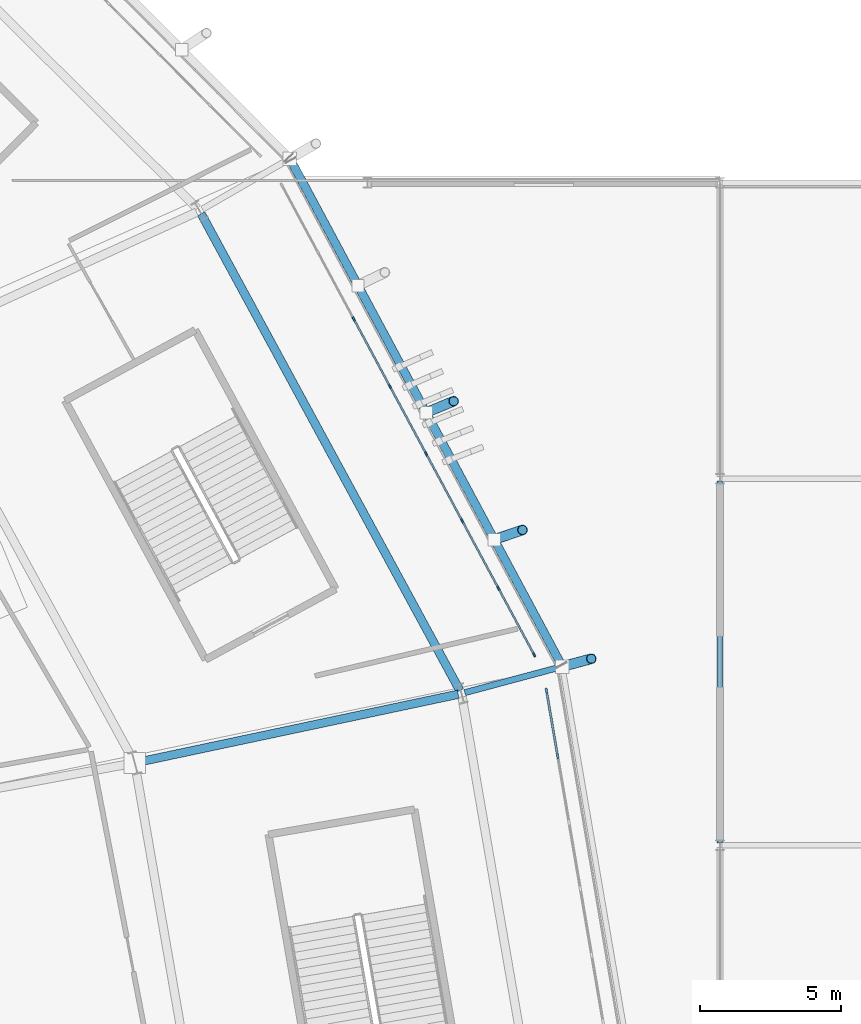
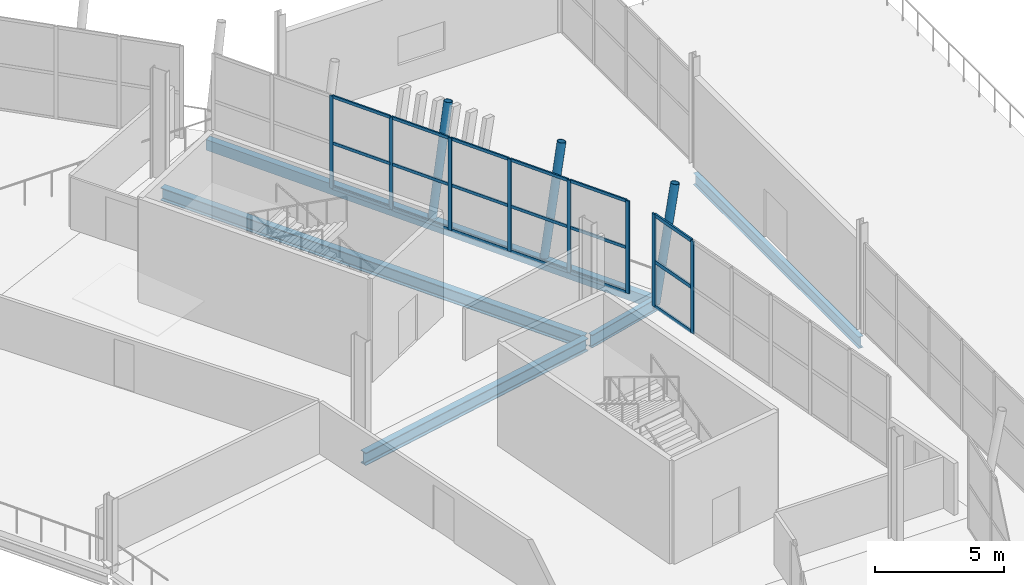
# One storey, part 61 of 168: 29 members, 5 beams, 2 elements without a shape of their own.
"""IFC4 building model written with IfcOpenShell, lengths in metres."""

from ifc_helpers import new_model, si_unit, direction, frame, origin, origin_2d, place, context, subcontext, project, spatial, rectangle, hollow_rectangle, hollow_circle, i_section, extrude, material, material_profile, profile_set, type_object, element, aggregate, save


model = new_model("IFC4")

# Units and contexts
model_context = context("Model", 3, precision=1e-05, world=origin(), true_north=direction((0.0, 1.0)))
body_context = subcontext(model_context, "Body", "Model", "MODEL_VIEW")
ifc_project = project(units=[si_unit("LENGTHUNIT", "METRE"), si_unit("AREAUNIT", "SQUARE_METRE"), si_unit("VOLUMEUNIT", "CUBIC_METRE"), si_unit("PLANEANGLEUNIT", "RADIAN"), si_unit("MASSUNIT", "GRAM", prefix="KILO")], contexts=[model_context])

# Site, building, storey
site_placement = place(None, origin())
site = spatial("IfcSite", under=ifc_project, at=site_placement, CompositionType="ELEMENT")
building_placement = place(site_placement, origin())
building = spatial("IfcBuilding", under=site, at=building_placement, Name="Zlatoyarsky Gate Stadium", CompositionType="ELEMENT")
storey_placement = place(building_placement, frame((0.0, 0.0, 15.60009765625)))
storey = spatial("IfcBuildingStorey", under=building, at=storey_placement, Name="L03", CompositionType="ELEMENT", Elevation=15.60009765625)

# Curtain wall, members
ifc_material_1 = material(Name="Thermally broken anodised aluminium curtain wall", Category="aluminium")
curtain_wall_type_1 = type_object("IfcCurtainWallType", Name="MONUMENTAL ARCHED GATE GLAZING UPPER", PredefinedType="USERDEFINED", material=ifc_material_1)
curtain_wall_1_placement = place(storey_placement, origin())
curtain_wall_1 = element("IfcCurtainWall", 1, at=curtain_wall_1_placement, inside=storey, type_object=curtain_wall_type_1, Name="Curtain wall CW-L03-00", ObjectType="ARCHED GATE GLAZING", PredefinedType="USERDEFINED")
ifc_material_2 = material(Name="Anodised aluminium 6063-T6", Category="aluminium")
ifc_material_profile_1 = material_profile(ifc_material_2, rectangle(XDim=0.074951171875, YDim=0.18994140625, at=origin_2d()), Name="ALU 75X190")
ifc_profile_set_1 = profile_set([ifc_material_profile_1], Name="Anodised aluminium 6063-T6")
member_type_1 = type_object("IfcMemberType", Name="ALUMINIUM GATE MULLION 75X190", PredefinedType="MULLION", material=ifc_profile_set_1)
member_1_placement = place(storey_placement, frame((204.242431640625, 96.158203125, 0.0), z_axis=(0.0, 0.0, 1.0), x_axis=(-0.985726654508, -0.168353683036, 0.0)))
member_1 = element("IfcMember", 2, at=member_1_placement, type_object=member_type_1, Name="CW-AG2 mullion 6", PredefinedType="MULLION", context=body_context, shape_type="SweptSolid", body=[
    extrude(rectangle(XDim=0.074951171875, YDim=0.18994140625, at=origin_2d()), origin(), (0.0, 0.0, 1.0), 4.3798828125),
])
member_2_placement = place(storey_placement, frame((203.8466796875, 98.4755859375, 0.0), z_axis=(0.0, 0.0, 1.0), x_axis=(-0.985726654508, -0.168353683036, 0.0)))
member_2 = element("IfcMember", 3, at=member_2_placement, type_object=member_type_1, Name="CW-AG2 mullion 7", PredefinedType="MULLION", context=body_context, shape_type="SweptSolid", body=[
    extrude(rectangle(XDim=0.074951171875, YDim=0.18994140625, at=origin_2d()), origin(), (0.0, 0.0, 1.0), 4.3798828125),
])
ifc_material_profile_2 = material_profile(ifc_material_2, rectangle(XDim=0.074951171875, YDim=0.169921875, at=origin_2d()), Name="ALU 75X170")
ifc_profile_set_2 = profile_set([ifc_material_profile_2], Name="Anodised aluminium 6063-T6")
member_type_2 = type_object("IfcMemberType", Name="ALUMINIUM GATE TRANSOM 75X170", PredefinedType="USERDEFINED", material=ifc_profile_set_2)
member_3_placement = place(storey_placement, frame((204.236083984375, 96.195068359375, 0.037353515625), z_axis=(-0.168311716755, 0.985733821071, 0.0), x_axis=(-0.985733821071, -0.168311716755, 0.0)))
member_3 = element("IfcMember", 4, at=member_3_placement, type_object=member_type_2, Name="CW-AG2 transom 6.1", ObjectType="TRANSOM", PredefinedType="USERDEFINED", context=body_context, shape_type="SweptSolid", body=[
    extrude(rectangle(XDim=0.074951171875, YDim=0.169921875, at=origin_2d()), origin(), (0.0, 0.0, 1.0), 2.27587890625),
])
member_4_placement = place(storey_placement, frame((204.236083984375, 96.195068359375, 2.14990234375), z_axis=(-0.168311716755, 0.985733821071, 0.0), x_axis=(-0.985733821071, -0.168311716755, 0.0)))
member_4 = element("IfcMember", 5, at=member_4_placement, type_object=member_type_2, Name="CW-AG2 transom 6.2", ObjectType="TRANSOM", PredefinedType="USERDEFINED", context=body_context, shape_type="SweptSolid", body=[
    extrude(rectangle(XDim=0.074951171875, YDim=0.169921875, at=origin_2d()), origin(), (0.0, 0.0, 1.0), 2.27587890625),
])
member_5_placement = place(storey_placement, frame((204.236083984375, 96.195068359375, 4.34228515625), z_axis=(-0.168311716755, 0.985733821071, 0.0), x_axis=(-0.985733821071, -0.168311716755, 0.0)))
member_5 = element("IfcMember", 6, at=member_5_placement, type_object=member_type_2, Name="CW-AG2 transom 6.3", ObjectType="TRANSOM", PredefinedType="USERDEFINED", context=body_context, shape_type="SweptSolid", body=[
    extrude(rectangle(XDim=0.074951171875, YDim=0.169921875, at=origin_2d()), origin(), (0.0, 0.0, 1.0), 2.27587890625),
])
aggregate(curtain_wall_1, [member_1, member_2, member_3, member_4, member_5])

curtain_wall_type_2 = type_object("IfcCurtainWallType", Name="UNITISED CORPORATE BOX GLAZING L03", PredefinedType="USERDEFINED", material=ifc_material_1)
curtain_wall_2_placement = place(storey_placement, origin())
curtain_wall_2 = element("IfcCurtainWall", 7, at=curtain_wall_2_placement, inside=storey, type_object=curtain_wall_type_2, Name="Curtain wall CW-L03-01", ObjectType="UNITISED GLAZING", PredefinedType="USERDEFINED")
ifc_material_profile_3 = material_profile(ifc_material_2, rectangle(XDim=0.06494140625, YDim=0.159912109375, at=origin_2d()), Name="ALU 65X160")
ifc_profile_set_3 = profile_set([ifc_material_profile_3], Name="Anodised aluminium 6063-T6")
member_type_3 = type_object("IfcMemberType", Name="ALUMINIUM MULLION 65X160", PredefinedType="MULLION", material=ifc_profile_set_3)
member_6_placement = place(storey_placement, frame((203.407958984375, 99.75439453125, 0.0), z_axis=(0.0, 0.0, 1.0), x_axis=(-0.880877202392, -0.473344857694, 0.0)))
member_6 = element("IfcMember", 8, at=member_6_placement, type_object=member_type_3, Name="CW-UG3 mullion 1", PredefinedType="MULLION", context=body_context, shape_type="SweptSolid", body=[
    extrude(rectangle(XDim=0.06494140625, YDim=0.159912109375, at=origin_2d()), origin(), (0.0, 0.0, 1.0), 4.3798828125),
])
member_7_placement = place(storey_placement, frame((202.14111328125, 102.11181640625, 0.0), z_axis=(0.0, 0.0, 1.0), x_axis=(-0.880877202392, -0.473344857694, 0.0)))
member_7 = element("IfcMember", 9, at=member_7_placement, type_object=member_type_3, Name="CW-UG3 mullion 2", PredefinedType="MULLION", context=body_context, shape_type="SweptSolid", body=[
    extrude(rectangle(XDim=0.06494140625, YDim=0.159912109375, at=origin_2d()), origin(), (0.0, 0.0, 1.0), 4.3798828125),
])
member_8_placement = place(storey_placement, frame((200.85888671875, 104.498046875, 0.0), z_axis=(0.0, 0.0, 1.0), x_axis=(-0.880877202392, -0.473344857694, 0.0)))
member_8 = element("IfcMember", 10, at=member_8_placement, type_object=member_type_3, Name="CW-UG3 mullion 3", PredefinedType="MULLION", context=body_context, shape_type="SweptSolid", body=[
    extrude(rectangle(XDim=0.06494140625, YDim=0.159912109375, at=origin_2d()), origin(), (0.0, 0.0, 1.0), 4.3798828125),
])
member_9_placement = place(storey_placement, frame((199.57666015625, 106.884033203125, 0.0), z_axis=(0.0, 0.0, 1.0), x_axis=(-0.880877202392, -0.473344857694, 0.0)))
member_9 = element("IfcMember", 11, at=member_9_placement, type_object=member_type_3, Name="CW-UG3 mullion 4", PredefinedType="MULLION", context=body_context, shape_type="SweptSolid", body=[
    extrude(rectangle(XDim=0.06494140625, YDim=0.159912109375, at=origin_2d()), origin(), (0.0, 0.0, 1.0), 4.3798828125),
])
member_10_placement = place(storey_placement, frame((198.294677734375, 109.270263671875, 0.0), z_axis=(0.0, 0.0, 1.0), x_axis=(-0.880877202392, -0.473344857694, 0.0)))
member_10 = element("IfcMember", 12, at=member_10_placement, type_object=member_type_3, Name="CW-UG3 mullion 5", PredefinedType="MULLION", context=body_context, shape_type="SweptSolid", body=[
    extrude(rectangle(XDim=0.06494140625, YDim=0.159912109375, at=origin_2d()), origin(), (0.0, 0.0, 1.0), 4.3798828125),
])
member_11_placement = place(storey_placement, frame((197.012451171875, 111.65625, 0.0), z_axis=(0.0, 0.0, 1.0), x_axis=(-0.880877202392, -0.473344857694, 0.0)))
member_11 = element("IfcMember", 13, at=member_11_placement, type_object=member_type_3, Name="CW-UG3 mullion 6", PredefinedType="MULLION", context=body_context, shape_type="SweptSolid", body=[
    extrude(rectangle(XDim=0.06494140625, YDim=0.159912109375, at=origin_2d()), origin(), (0.0, 0.0, 1.0), 4.3798828125),
])
ifc_material_profile_4 = material_profile(ifc_material_2, rectangle(XDim=0.06494140625, YDim=0.139892578125, at=origin_2d()), Name="ALU 65X140")
ifc_profile_set_4 = profile_set([ifc_material_profile_4], Name="Anodised aluminium 6063-T6")
member_type_4 = type_object("IfcMemberType", Name="ALUMINIUM TRANSOM 65X140", PredefinedType="USERDEFINED", material=ifc_profile_set_4)
member_12_placement = place(storey_placement, frame((203.392578125, 99.782958984375, 0.032470703125), z_axis=(-0.473347001092, 0.880876050621, 0.0), x_axis=(-0.880876050621, -0.473347001092, 0.0)))
member_12 = element("IfcMember", 14, at=member_12_placement, type_object=member_type_4, Name="CW-UG3 transom 1.1", ObjectType="TRANSOM", PredefinedType="USERDEFINED", context=body_context, shape_type="SweptSolid", body=[
    extrude(rectangle(XDim=0.06494140625, YDim=0.139892578125, at=origin_2d()), origin(), (0.0, 0.0, 1.0), 2.611328125),
])
member_13_placement = place(storey_placement, frame((203.392578125, 99.782958984375, 2.14990234375), z_axis=(-0.473347001092, 0.880876050621, 0.0), x_axis=(-0.880876050621, -0.473347001092, 0.0)))
member_13 = element("IfcMember", 15, at=member_13_placement, type_object=member_type_4, Name="CW-UG3 transom 1.2", ObjectType="TRANSOM", PredefinedType="USERDEFINED", context=body_context, shape_type="SweptSolid", body=[
    extrude(rectangle(XDim=0.06494140625, YDim=0.139892578125, at=origin_2d()), origin(), (0.0, 0.0, 1.0), 2.611328125),
])
member_14_placement = place(storey_placement, frame((203.392578125, 99.782958984375, 4.347412109375), z_axis=(-0.473347001092, 0.880876050621, 0.0), x_axis=(-0.880876050621, -0.473347001092, 0.0)))
member_14 = element("IfcMember", 16, at=member_14_placement, type_object=member_type_4, Name="CW-UG3 transom 1.3", ObjectType="TRANSOM", PredefinedType="USERDEFINED", context=body_context, shape_type="SweptSolid", body=[
    extrude(rectangle(XDim=0.06494140625, YDim=0.139892578125, at=origin_2d()), origin(), (0.0, 0.0, 1.0), 2.611328125),
])
member_15_placement = place(storey_placement, frame((202.125732421875, 102.140625, 0.032470703125), z_axis=(-0.473356241073, 0.880871085368, 0.0), x_axis=(-0.880871085368, -0.473356241073, 0.0)))
member_15 = element("IfcMember", 17, at=member_15_placement, type_object=member_type_4, Name="CW-UG3 transom 2.1", ObjectType="TRANSOM", PredefinedType="USERDEFINED", context=body_context, shape_type="SweptSolid", body=[
    extrude(rectangle(XDim=0.06494140625, YDim=0.139892578125, at=origin_2d()), origin(), (0.0, 0.0, 1.0), 2.643798828125),
])
member_16_placement = place(storey_placement, frame((202.125732421875, 102.140625, 2.14990234375), z_axis=(-0.473356241073, 0.880871085368, 0.0), x_axis=(-0.880871085368, -0.473356241073, 0.0)))
member_16 = element("IfcMember", 18, at=member_16_placement, type_object=member_type_4, Name="CW-UG3 transom 2.2", ObjectType="TRANSOM", PredefinedType="USERDEFINED", context=body_context, shape_type="SweptSolid", body=[
    extrude(rectangle(XDim=0.06494140625, YDim=0.139892578125, at=origin_2d()), origin(), (0.0, 0.0, 1.0), 2.643798828125),
])
member_17_placement = place(storey_placement, frame((202.125732421875, 102.140625, 4.347412109375), z_axis=(-0.473356241073, 0.880871085368, 0.0), x_axis=(-0.880871085368, -0.473356241073, 0.0)))
member_17 = element("IfcMember", 19, at=member_17_placement, type_object=member_type_4, Name="CW-UG3 transom 2.3", ObjectType="TRANSOM", PredefinedType="USERDEFINED", context=body_context, shape_type="SweptSolid", body=[
    extrude(rectangle(XDim=0.06494140625, YDim=0.139892578125, at=origin_2d()), origin(), (0.0, 0.0, 1.0), 2.643798828125),
])
member_18_placement = place(storey_placement, frame((200.843505859375, 104.526611328125, 0.032470703125), z_axis=(-0.473356241073, 0.880871085368, 0.0), x_axis=(-0.880871085368, -0.473356241073, 0.0)))
member_18 = element("IfcMember", 20, at=member_18_placement, type_object=member_type_4, Name="CW-UG3 transom 3.1", ObjectType="TRANSOM", PredefinedType="USERDEFINED", context=body_context, shape_type="SweptSolid", body=[
    extrude(rectangle(XDim=0.06494140625, YDim=0.139892578125, at=origin_2d()), origin(), (0.0, 0.0, 1.0), 2.643798828125),
])
member_19_placement = place(storey_placement, frame((200.843505859375, 104.526611328125, 2.14990234375), z_axis=(-0.473356241073, 0.880871085368, 0.0), x_axis=(-0.880871085368, -0.473356241073, 0.0)))
member_19 = element("IfcMember", 21, at=member_19_placement, type_object=member_type_4, Name="CW-UG3 transom 3.2", ObjectType="TRANSOM", PredefinedType="USERDEFINED", context=body_context, shape_type="SweptSolid", body=[
    extrude(rectangle(XDim=0.06494140625, YDim=0.139892578125, at=origin_2d()), origin(), (0.0, 0.0, 1.0), 2.643798828125),
])
member_20_placement = place(storey_placement, frame((200.843505859375, 104.526611328125, 4.347412109375), z_axis=(-0.473356241073, 0.880871085368, 0.0), x_axis=(-0.880871085368, -0.473356241073, 0.0)))
member_20 = element("IfcMember", 22, at=member_20_placement, type_object=member_type_4, Name="CW-UG3 transom 3.3", ObjectType="TRANSOM", PredefinedType="USERDEFINED", context=body_context, shape_type="SweptSolid", body=[
    extrude(rectangle(XDim=0.06494140625, YDim=0.139892578125, at=origin_2d()), origin(), (0.0, 0.0, 1.0), 2.643798828125),
])
member_21_placement = place(storey_placement, frame((199.561279296875, 106.912841796875, 0.032470703125), z_axis=(-0.473323087984, 0.880888900135, 0.0), x_axis=(-0.880888900135, -0.473323087984, 0.0)))
member_21 = element("IfcMember", 23, at=member_21_placement, type_object=member_type_4, Name="CW-UG3 transom 4.1", ObjectType="TRANSOM", PredefinedType="USERDEFINED", context=body_context, shape_type="SweptSolid", body=[
    extrude(rectangle(XDim=0.06494140625, YDim=0.139892578125, at=origin_2d()), origin(), (0.0, 0.0, 1.0), 2.6435546875),
])
member_22_placement = place(storey_placement, frame((199.561279296875, 106.912841796875, 2.14990234375), z_axis=(-0.473323087984, 0.880888900135, 0.0), x_axis=(-0.880888900135, -0.473323087984, 0.0)))
member_22 = element("IfcMember", 24, at=member_22_placement, type_object=member_type_4, Name="CW-UG3 transom 4.2", ObjectType="TRANSOM", PredefinedType="USERDEFINED", context=body_context, shape_type="SweptSolid", body=[
    extrude(rectangle(XDim=0.06494140625, YDim=0.139892578125, at=origin_2d()), origin(), (0.0, 0.0, 1.0), 2.6435546875),
])
member_23_placement = place(storey_placement, frame((199.561279296875, 106.912841796875, 4.347412109375), z_axis=(-0.473323087984, 0.880888900135, 0.0), x_axis=(-0.880888900135, -0.473323087984, 0.0)))
member_23 = element("IfcMember", 25, at=member_23_placement, type_object=member_type_4, Name="CW-UG3 transom 4.3", ObjectType="TRANSOM", PredefinedType="USERDEFINED", context=body_context, shape_type="SweptSolid", body=[
    extrude(rectangle(XDim=0.06494140625, YDim=0.139892578125, at=origin_2d()), origin(), (0.0, 0.0, 1.0), 2.6435546875),
])
member_24_placement = place(storey_placement, frame((198.279052734375, 109.298828125, 0.032470703125), z_axis=(-0.473284583402, 0.880909588502, 0.0), x_axis=(-0.880909588502, -0.473284583402, 0.0)))
member_24 = element("IfcMember", 26, at=member_24_placement, type_object=member_type_4, Name="CW-UG3 transom 5.1", ObjectType="TRANSOM", PredefinedType="USERDEFINED", context=body_context, shape_type="SweptSolid", body=[
    extrude(rectangle(XDim=0.06494140625, YDim=0.139892578125, at=origin_2d()), origin(), (0.0, 0.0, 1.0), 2.643798828125),
])
member_25_placement = place(storey_placement, frame((198.279052734375, 109.298828125, 2.14990234375), z_axis=(-0.473284583402, 0.880909588502, 0.0), x_axis=(-0.880909588502, -0.473284583402, 0.0)))
member_25 = element("IfcMember", 27, at=member_25_placement, type_object=member_type_4, Name="CW-UG3 transom 5.2", ObjectType="TRANSOM", PredefinedType="USERDEFINED", context=body_context, shape_type="SweptSolid", body=[
    extrude(rectangle(XDim=0.06494140625, YDim=0.139892578125, at=origin_2d()), origin(), (0.0, 0.0, 1.0), 2.643798828125),
])
member_26_placement = place(storey_placement, frame((198.279052734375, 109.298828125, 4.347412109375), z_axis=(-0.473284583402, 0.880909588502, 0.0), x_axis=(-0.880909588502, -0.473284583402, 0.0)))
member_26 = element("IfcMember", 28, at=member_26_placement, type_object=member_type_4, Name="CW-UG3 transom 5.3", ObjectType="TRANSOM", PredefinedType="USERDEFINED", context=body_context, shape_type="SweptSolid", body=[
    extrude(rectangle(XDim=0.06494140625, YDim=0.139892578125, at=origin_2d()), origin(), (0.0, 0.0, 1.0), 2.643798828125),
])
aggregate(curtain_wall_2, [member_6, member_7, member_8, member_9, member_10, member_11, member_12, member_13, member_14, member_15, member_16, member_17, member_18, member_19, member_20, member_21, member_22, member_23, member_24, member_25, member_26])

# Beams
ifc_material_3 = material(Name="Steel S355", Category="steel")
ifc_material_profile_5 = material_profile(ifc_material_3, i_section(OverallWidth=0.219970703125, OverallDepth=0.60009765625, WebThickness=0.011962890625, FlangeThickness=0.01904296875, FilletRadius=0.02392578125, at=origin_2d()), Name="IPE 600")
ifc_profile_set_5 = profile_set([ifc_material_profile_5], Name="Steel S355")
beam_type_1 = type_object("IfcBeamType", Name="STEEL CANTILEVER FLOOR BEAM IPE 600", PredefinedType="BEAM", material=ifc_profile_set_5)
beam_1_placement = place(storey_placement, frame((200.947021484375, 98.4072265625, -0.580078125), z_axis=(0.965919758856, 0.258841688008, 0.0), x_axis=(-0.258841688008, 0.965919758856, 0.0)))
element("IfcBeam", 29, at=beam_1_placement, inside=storey, type_object=beam_type_1, Name="Beam B-IPE600 BM-L03-OUT-01", PredefinedType="BEAM", context=body_context, shape_type="SweptSolid", body=[
    extrude(i_section(OverallWidth=0.219970703125, OverallDepth=0.60009765625, WebThickness=0.011962890625, FlangeThickness=0.01904296875, FilletRadius=0.02392578125, at=origin_2d()), origin(), (0.0, 0.0, 1.0), 3.582275390625),
])
ifc_material_profile_6 = material_profile(ifc_material_3, i_section(OverallWidth=0.2099609375, OverallDepth=0.550048828125, WebThickness=0.010986328125, FlangeThickness=0.01708984375, FilletRadius=0.02392578125, at=origin_2d()), Name="IPE 550")
ifc_profile_set_6 = profile_set([ifc_material_profile_6], Name="Steel S355")
beam_type_2 = type_object("IfcBeamType", Name="STEEL FLOOR BEAM IPE 550", PredefinedType="BEAM", material=ifc_profile_set_6)
beam_2_placement = place(storey_placement, frame((210.0, 93.080078125, -0.59521484375), z_axis=(0.0, 1.0, 0.0), x_axis=(-1.0, 0.0, 0.0)))
element("IfcBeam", 30, at=beam_2_placement, inside=storey, type_object=beam_type_2, Name="Beam B-IPE550 BM-L03-WGY-18-J", PredefinedType="BEAM", context=body_context, shape_type="SweptSolid", body=[
    extrude(i_section(OverallWidth=0.2099609375, OverallDepth=0.550048828125, WebThickness=0.010986328125, FlangeThickness=0.01708984375, FilletRadius=0.02392578125, at=origin_2d()), origin(), (0.0, 0.0, 1.0), 12.83984375),
])

# Members
ifc_material_profile_7 = material_profile(ifc_material_3, hollow_circle(Radius=0.177734375, WallThickness=0.02001953125, at=origin_2d()), Name="CHS 355.6X20")
ifc_profile_set_7 = profile_set([ifc_material_profile_7], Name="Steel S355")
member_type_5 = type_object("IfcMemberType", Name="STEEL LEANING RIB RING STRUT CHS 355.6X20", PredefinedType="STRUT", material=ifc_profile_set_7)
member_27_placement = place(storey_placement, frame((204.4072265625, 99.33447265625, -0.580078125), z_axis=(0.19494308955, 0.052209480057, 0.979423995024), x_axis=(-0.258701784688, 0.965957238494, 0.0)))
element("IfcMember", 31, at=member_27_placement, inside=storey, type_object=member_type_5, Name="Leaning ring strut 01 L03 to L04", PredefinedType="STRUT", context=body_context, shape_type="SweptSolid", body=[
    extrude(hollow_circle(Radius=0.177734375, WallThickness=0.02001953125, at=origin_2d()), origin(), (0.0, 0.0, 1.0), 5.288818359375),
])
member_28_placement = place(storey_placement, frame((201.9921875, 103.838623046875, -0.530029296875), z_axis=(0.189915858303, 0.064413474917, 0.979685087676), x_axis=(-0.32119679025, 0.947012471899, 0.0)))
element("IfcMember", 32, at=member_28_placement, inside=storey, type_object=member_type_5, Name="Outward-leaning bowl louvre fin rib L03 01-1", PredefinedType="STRUT", context=body_context, shape_type="SweptSolid", body=[
    extrude(hollow_circle(Radius=0.177734375, WallThickness=0.02001953125, at=origin_2d()), origin(), (0.0, 0.0, 1.0), 5.287353515625),
])
member_29_placement = place(storey_placement, frame((199.576904296875, 108.3427734375, -0.530029296875), z_axis=(0.184942906373, 0.076609308782, 0.97975871274), x_axis=(-0.382698137168, 0.923873441445, 0.0)))
element("IfcMember", 33, at=member_29_placement, inside=storey, type_object=member_type_5, Name="Outward-leaning bowl louvre fin rib L03 01-2", PredefinedType="STRUT", context=body_context, shape_type="SweptSolid", body=[
    extrude(hollow_circle(Radius=0.177734375, WallThickness=0.02001953125, at=origin_2d()), origin(), (0.0, 0.0, 1.0), 5.286865234375),
])

# Beams
ifc_material_profile_8 = material_profile(ifc_material_3, hollow_rectangle(XDim=0.300048828125, YDim=0.5, WallThickness=0.02001953125, at=origin_2d()), Name="RHS 500X300X20")
ifc_profile_set_8 = profile_set([ifc_material_profile_8], Name="Steel S355")
beam_type_3 = type_object("IfcBeamType", Name="STEEL LOUVRE CARRIER SPANDREL RHS 500X300X20", PredefinedType="SPANDREL", material=ifc_profile_set_8)
beam_3_placement = place(storey_placement, frame((204.397705078125, 99.35205078125, -0.530029296875), z_axis=(-0.472552104089, 0.88130273398, 0.0), x_axis=(-0.88130273398, -0.472552104089, 0.0)))
element("IfcBeam", 34, at=beam_3_placement, inside=storey, type_object=beam_type_3, Name="Beam SP-RHS500 BM-L03-SPD-01", PredefinedType="SPANDREL", context=body_context, shape_type="SweptSolid", body=[
    extrude(hollow_rectangle(XDim=0.300048828125, YDim=0.5, WallThickness=0.02001953125, at=origin_2d()), origin(), (0.0, 0.0, 1.0), 20.4033203125),
])
ifc_material_profile_9 = material_profile(ifc_material_3, i_section(OverallWidth=0.300048828125, OverallDepth=0.60009765625, WebThickness=0.015380859375, FlangeThickness=0.030029296875, FilletRadius=0.027099609375, at=origin_2d()), Name="HEB 600")
ifc_profile_set_9 = profile_set([ifc_material_profile_9], Name="Steel S355")
beam_type_4 = type_object("IfcBeamType", Name="STEEL PRIMARY GIRDER HEB 600", PredefinedType="BEAM", material=ifc_profile_set_9)
beam_4_placement = place(storey_placement, frame((189.357421875, 95.9423828125, -0.580078125), z_axis=(0.978233348926, 0.207507867438, 0.0), x_axis=(-0.207507867438, 0.978233348926, 0.0)))
element("IfcBeam", 35, at=beam_4_placement, inside=storey, type_object=beam_type_4, Name="Beam G-HEB600 BM-L03-RBC-01", PredefinedType="BEAM", context=body_context, shape_type="SweptSolid", body=[
    extrude(i_section(OverallWidth=0.300048828125, OverallDepth=0.60009765625, WebThickness=0.015380859375, FlangeThickness=0.030029296875, FilletRadius=0.027099609375, at=origin_2d()), origin(), (0.0, 0.0, 1.0), 11.60888671875),
])
beam_5_placement = place(storey_placement, frame((200.77392578125, 98.481689453125, -0.580078125), z_axis=(-0.476891650323, 0.878962088973, 0.0), x_axis=(-0.878962088973, -0.476891650323, 0.0)))
element("IfcBeam", 36, at=beam_5_placement, inside=storey, type_object=beam_type_4, Name="Beam G-HEB600 BM-L03-CRC-01", PredefinedType="BEAM", context=body_context, shape_type="SweptSolid", body=[
    extrude(i_section(OverallWidth=0.300048828125, OverallDepth=0.60009765625, WebThickness=0.015380859375, FlangeThickness=0.030029296875, FilletRadius=0.027099609375, at=origin_2d()), origin(), (0.0, 0.0, 1.0), 19.241943359375),
])

save(model, "model.ifc")
